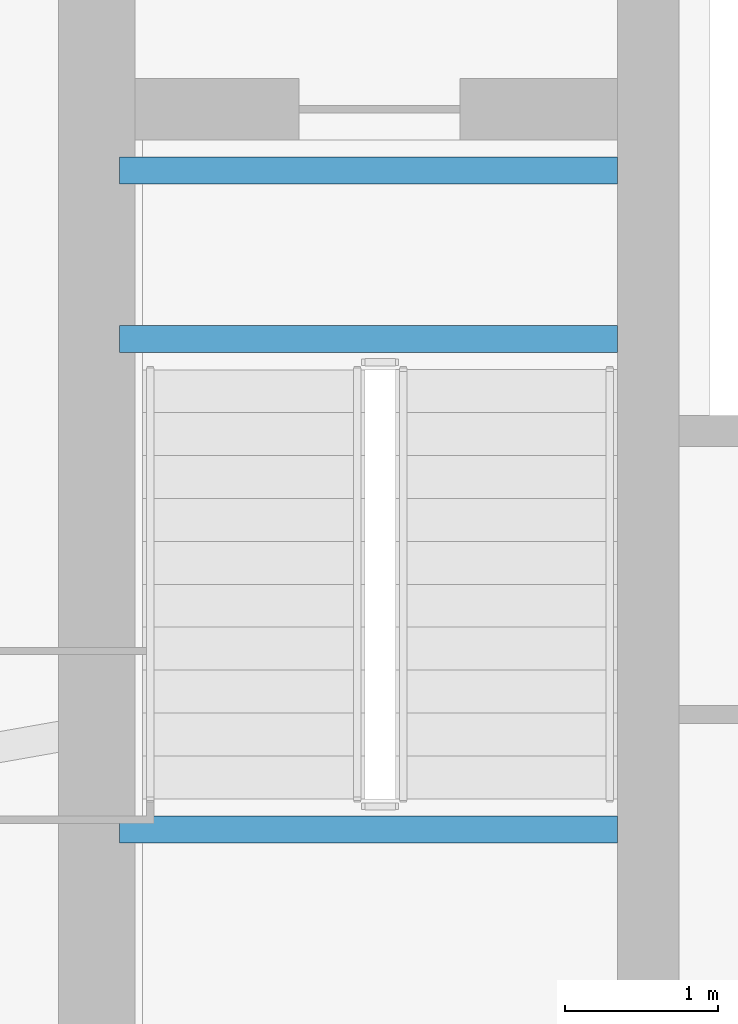
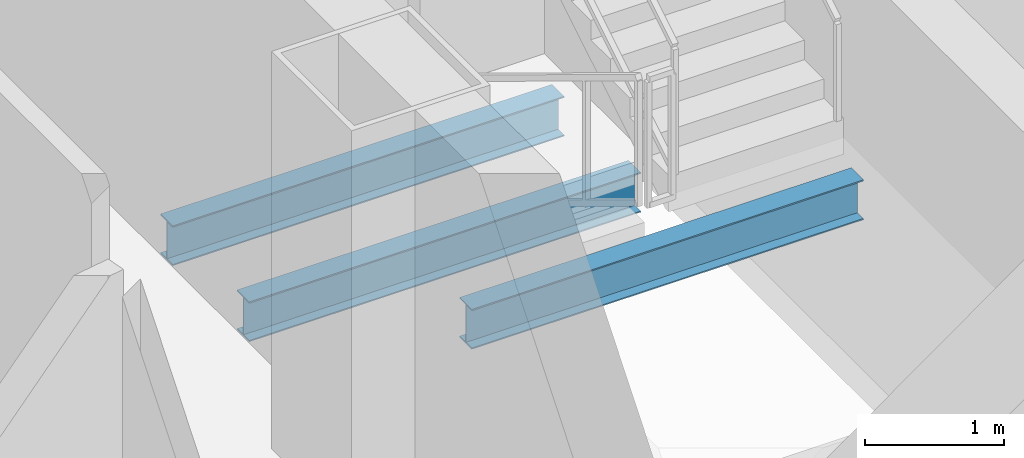
# One storey, part 6 of 26: 3 beams.
"""IFC4 building model written with IfcOpenShell, lengths in metres."""

from ifc_helpers import new_model, si_unit, direction, frame, origin, origin_2d, place, context, subcontext, project, spatial, i_section, extrude, source, transform, mapped, material, material_profile, profile_set, type_object, element, save


model = new_model("IFC4")

# Units and contexts
model_context = context("Model", 3, precision=1e-05, world=origin(), true_north=direction((0.0, 1.0)))
body_context = subcontext(model_context, "Body", "Model", "MODEL_VIEW")
ifc_project = project(units=[si_unit("LENGTHUNIT", "METRE"), si_unit("AREAUNIT", "SQUARE_METRE"), si_unit("VOLUMEUNIT", "CUBIC_METRE"), si_unit("PLANEANGLEUNIT", "RADIAN"), si_unit("MASSUNIT", "GRAM", prefix="KILO"), si_unit("THERMODYNAMICTEMPERATUREUNIT", "KELVIN"), si_unit("POWERUNIT", "WATT")], contexts=[model_context])

# Site, building, storey
site_placement = place(None, origin())
site = spatial("IfcSite", under=ifc_project, at=site_placement, CompositionType="ELEMENT")
building_placement = place(site_placement, origin())
building = spatial("IfcBuilding", under=site, at=building_placement, Name="Yunzhuo Pagoda Commons", CompositionType="ELEMENT")
storey_placement = place(building_placement, frame((0.0, 0.0, 340.510009765625)))
storey = spatial("IfcBuildingStorey", under=building, at=storey_placement, Name="L85", CompositionType="ELEMENT", Elevation=340.510009765625)

# Beams
ifc_material = material(Name="Structural steel Q355B", Category="steel")
ifc_material_profile = material_profile(ifc_material, i_section(OverallWidth=0.175048828125, OverallDepth=0.35009765625, WebThickness=0.007080078125, FlangeThickness=0.010986328125, at=origin_2d()), Name="Structural steel Q355B")
ifc_profile_set = profile_set([ifc_material_profile], Name="Structural steel Q355B")
beam_type = type_object("IfcBeamType", Name="B-JS2 Joist HN 350x175x7x11", PredefinedType="JOIST", material=ifc_profile_set)
shared_shape = source(origin(), body_context, "Body", "SweptSolid", [
    extrude(i_section(OverallWidth=0.175048828125, OverallDepth=0.35009765625, WebThickness=0.007080078125, FlangeThickness=0.010986328125, at=origin_2d()), origin(), (0.0, 0.0, 1.0), 3.25),
])
for number, where, z_axis, x_axis, name in (
    (1, (35.949951171875, 30.89990234375, 1.5), (1.0, 0.0, 0.0), (0.0, 1.0, 0.0), "L85 ST1 landing support beam 91B"),
    (2, (35.949951171875, 34.10009765625, -0.375), (1.0, 0.0, 0.0), (0.0, 1.0, 0.0), "L85 ST1 landing support beam 189A"),
    (3, (35.949951171875, 35.199951171875, -0.375), (1.0, 0.0, 0.0), (0.0, 1.0, 0.0), "L85 ST1 landing support beam 189B"),
):
    element("IfcBeam", number, at=place(storey_placement, frame(where, z_axis=z_axis, x_axis=x_axis)), inside=storey, type_object=beam_type, Name=name, PredefinedType="JOIST", context=body_context, shape_type="MappedRepresentation", body=[
        mapped(shared_shape, transform((0.0, 0.0, 0.0), scale=1.0)),
    ])

save(model, "model.ifc")
